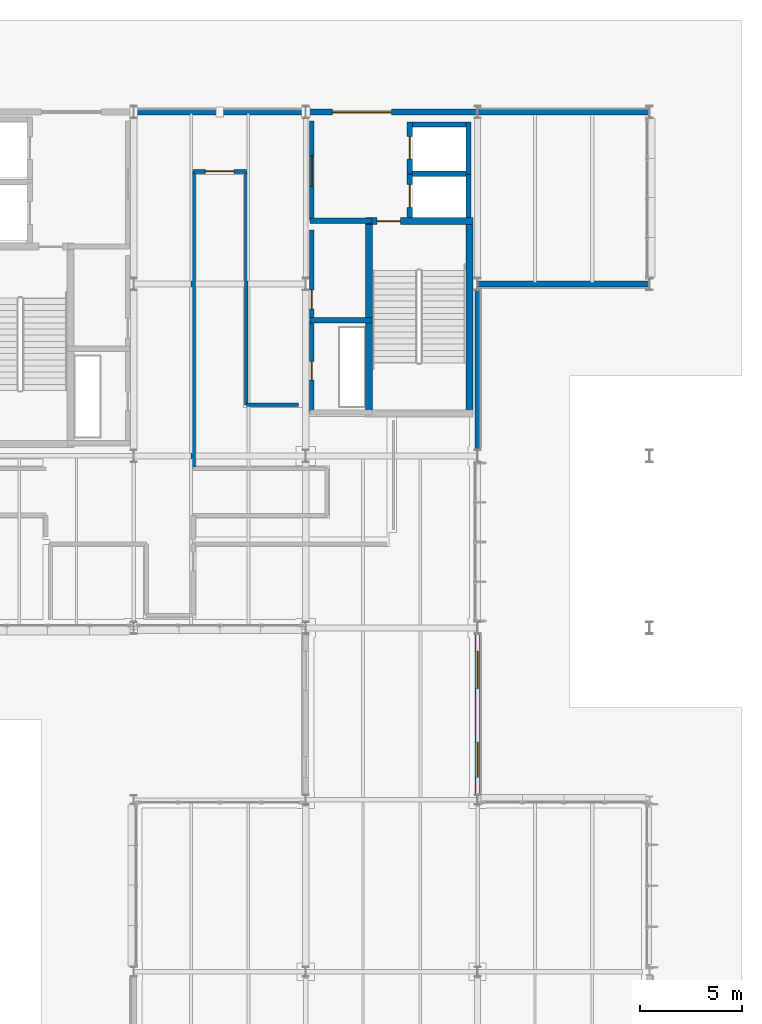
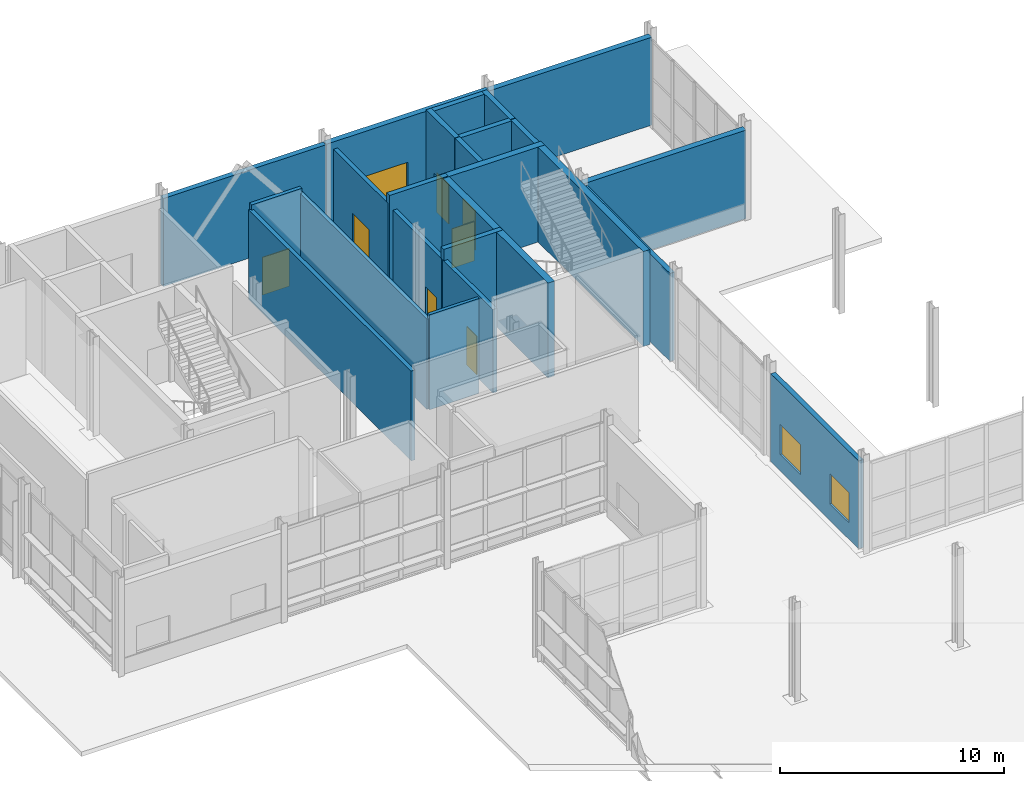
# One storey, part 95 of 124: 24 walls, 8 doors, 2 windows, 10 openings.
"""IFC4 building model written with IfcOpenShell, lengths in metres."""

from ifc_helpers import new_model, si_unit, direction, frame, frame_2d, origin, place, context, subcontext, project, spatial, rectangle, extrude, material, layer, layer_set, type_object, element, fill, save


model = new_model("IFC4")

# Units and contexts
model_context = context("Model", 3, precision=1e-05, world=origin(), true_north=direction((0.0, 1.0)))
body_context = subcontext(model_context, "Body", "Model", "MODEL_VIEW")
ifc_project = project(units=[si_unit("LENGTHUNIT", "METRE"), si_unit("AREAUNIT", "SQUARE_METRE"), si_unit("VOLUMEUNIT", "CUBIC_METRE"), si_unit("PLANEANGLEUNIT", "RADIAN"), si_unit("MASSUNIT", "GRAM", prefix="KILO")], contexts=[model_context])

# Site, building, storey
site_placement = place(None, origin())
site = spatial("IfcSite", under=ifc_project, at=site_placement, CompositionType="ELEMENT")
building_placement = place(site_placement, origin())
building = spatial("IfcBuilding", under=site, at=building_placement, Name="Mersafa Astral City Hall", CompositionType="ELEMENT")
storey_placement = place(building_placement, origin())
storey = spatial("IfcBuildingStorey", under=building, at=storey_placement, Name="L00", CompositionType="ELEMENT", Elevation=0.0)

# Wall
ifc_material_1 = material(Name="Precast concrete C40/50 insulated terracotta spandrel", Category="masonry")
ifc_layer_1 = layer(ifc_material_1, 0.235107421875, Name="Precast concrete C40/50 insulated terracotta spandrel")
ifc_layer_set_1 = layer_set([ifc_layer_1], Name="Precast concrete C40/50 insulated terracotta spandrel — ENV-WAL-EXT-235")
wall_type_1 = type_object("IfcWallType", Name="ENV-WAL-EXT-235", PredefinedType="STANDARD", material=ifc_layer_set_1)
wall_1_placement = place(storey_placement, frame((176.39990234375, 109.49609375, 0.0), z_axis=(0.0, 0.0, 1.0), x_axis=(0.0, 1.0, 0.0)))
element("IfcWall", 1, at=wall_1_placement, inside=storey, type_object=wall_type_1, Name="L00 Limestone-clad exterior wall 35", PredefinedType="STANDARD", context=body_context, shape_type="SweptSolid", body=[
    extrude(rectangle(XDim=7.807861328125, YDim=0.235107421875, at=frame_2d((3.90380859375, 0.0))), origin(), (0.0, 0.0, 1.0), 4.797119140625),
])

# Wall, openings, windows
ifc_layer_2 = layer(ifc_material_1, 0.25, Name="Precast concrete C40/50 insulated terracotta spandrel")
ifc_layer_set_2 = layer_set([ifc_layer_2], Name="Precast concrete C40/50 insulated terracotta spandrel — ENV-WAL-EXT-250")
wall_type_2 = type_object("IfcWallType", Name="ENV-WAL-EXT-250", PredefinedType="STANDARD", material=ifc_layer_set_2)
wall_2_placement = place(storey_placement, frame((176.39990234375, 92.64599609375, 0.0), z_axis=(0.0, 0.0, 1.0), x_axis=(0.0, 1.0, 0.0)))
wall_2 = element("IfcWall", 2, at=wall_2_placement, inside=storey, type_object=wall_type_2, Name="L00 Limestone-clad exterior wall 34", PredefinedType="STANDARD", context=body_context, shape_type="SweptSolid", body=[
    extrude(rectangle(XDim=7.85791015625, YDim=0.25, at=frame_2d((3.928955078125, 0.0))), origin(), (0.0, 0.0, 1.0), 4.797119140625),
])
opening_1_placement = place(wall_2_placement, frame((0.85009765625, 0.0, 0.89990234375)))
opening_1 = element("IfcOpeningElement", 3, at=opening_1_placement, cuts=wall_2, Name="Opening W-38", PredefinedType="OPENING", context=body_context, shape_type="SweptSolid", body=[
    extrude(rectangle(XDim=1.719970703125, YDim=1.64990234375, at=frame_2d((0.85986328125, 0.824951171875))), frame((0.0, 0.135009765625, 0.0), z_axis=(0.0, -1.0, 0.0), x_axis=(1.0, 0.0, 0.0)), (0.0, 0.0, 1.0), 0.27001953125),
])
opening_2_placement = place(wall_2_placement, frame((5.18798828125, 0.0, 0.89990234375)))
opening_2 = element("IfcOpeningElement", 4, at=opening_2_placement, cuts=wall_2, Name="Opening W-39", PredefinedType="OPENING", context=body_context, shape_type="SweptSolid", body=[
    extrude(rectangle(XDim=1.820068359375, YDim=1.64990234375, at=frame_2d((0.91015625, 0.824951171875))), frame((0.0, 0.135009765625, 0.0), z_axis=(0.0, -1.0, 0.0), x_axis=(1.0, 0.0, 0.0)), (0.0, 0.0, 1.0), 0.27001953125),
])
ifc_material_2 = material(Name="Solar control low-e double glazing in bronze frame", Category="glass")
window_type_1 = type_object("IfcWindowType", Name="ENV-WIN-W-38", PartitioningType="SINGLE_PANEL", PredefinedType="WINDOW", material=ifc_material_2)
window_1_placement = place(opening_1_placement, origin())
window_1 = element("IfcWindow", 5, at=window_1_placement, inside=storey, type_object=window_type_1, Name="L00 Solar punched window 34-L", OverallHeight=1.64990234375, OverallWidth=1.719970703125, PartitioningType="SINGLE_PANEL", PredefinedType="WINDOW", context=body_context, shape_type="SweptSolid", body=[
    extrude(rectangle(XDim=1.719970703125, YDim=1.64990234375, at=frame_2d((0.85986328125, 0.824951171875))), frame((0.0, 0.030029296875, 0.0), z_axis=(0.0, -1.0, 0.0), x_axis=(1.0, 0.0, 0.0)), (0.0, 0.0, 1.0), 0.06005859375),
])
fill(opening_1, window_1)
window_type_2 = type_object("IfcWindowType", Name="ENV-WIN-W-39", PartitioningType="SINGLE_PANEL", PredefinedType="WINDOW", material=ifc_material_2)
window_2_placement = place(opening_2_placement, origin())
window_2 = element("IfcWindow", 6, at=window_2_placement, inside=storey, type_object=window_type_2, Name="L00 Solar punched window 34-R", OverallHeight=1.64990234375, OverallWidth=1.820068359375, PartitioningType="SINGLE_PANEL", PredefinedType="WINDOW", context=body_context, shape_type="SweptSolid", body=[
    extrude(rectangle(XDim=1.820068359375, YDim=1.64990234375, at=frame_2d((0.91015625, 0.824951171875))), frame((0.0, 0.030029296875, 0.0), z_axis=(0.0, -1.0, 0.0), x_axis=(1.0, 0.0, 0.0)), (0.0, 0.0, 1.0), 0.06005859375),
])
fill(opening_2, window_2)

# Walls
ifc_material_3 = material(Name="Precast concrete C40/50 insulated limestone wall", Category="masonry")
ifc_layer_3 = layer(ifc_material_3, 0.264892578125, Name="Precast concrete C40/50 insulated limestone wall")
ifc_layer_set_3 = layer_set([ifc_layer_3], Name="Precast concrete C40/50 insulated limestone wall — ENV-WAL-EXT-265")
wall_type_3 = type_object("IfcWallType", Name="ENV-WAL-EXT-265", PredefinedType="STANDARD", material=ifc_layer_set_3)
wall_3_placement = place(storey_placement, frame((167.991943359375, 126.0, 0.0), z_axis=(0.0, 0.0, 1.0), x_axis=(-1.0, 0.0, 0.0)))
element("IfcWall", 7, at=wall_3_placement, inside=storey, type_object=wall_type_3, Name="L00 Limestone-clad exterior wall 39", PredefinedType="STANDARD", context=body_context, shape_type="SweptSolid", body=[
    extrude(rectangle(XDim=8.384033203125, YDim=0.264892578125, at=frame_2d((4.19189453125, 0.0))), origin(), (0.0, 0.0, 1.0), 4.797119140625),
])
ifc_layer_4 = layer(ifc_material_3, 0.294921875, Name="Precast concrete C40/50 insulated limestone wall")
ifc_layer_set_4 = layer_set([ifc_layer_4], Name="Precast concrete C40/50 insulated limestone wall — ENV-WAL-EXT-295")
wall_type_4 = type_object("IfcWallType", Name="ENV-WAL-EXT-295", PredefinedType="STANDARD", material=ifc_layer_set_4)
wall_4_placement = place(storey_placement, frame((184.7919921875, 126.0, 0.0), z_axis=(0.0, 0.0, 1.0), x_axis=(-1.0, 0.0, 0.0)))
element("IfcWall", 8, at=wall_4_placement, inside=storey, type_object=wall_type_4, Name="L00 Limestone-clad exterior wall 37", PredefinedType="STANDARD", context=body_context, shape_type="SweptSolid", body=[
    extrude(rectangle(XDim=8.384033203125, YDim=0.294921875, at=frame_2d((4.19189453125, 0.0))), origin(), (0.0, 0.0, 1.0), 4.797119140625),
])

# Wall, opening, door
wall_5_placement = place(storey_placement, frame((168.008056640625, 126.0, 0.0), z_axis=(0.0, 0.0, 1.0), x_axis=(1.0, 0.0, 0.0)))
wall_5 = element("IfcWall", 9, at=wall_5_placement, inside=storey, type_object=wall_type_4, Name="L00 Protected lobby exit wall E6", PredefinedType="STANDARD", context=body_context, shape_type="SweptSolid", body=[
    extrude(rectangle(XDim=8.384033203125, YDim=0.294921875, at=frame_2d((4.19189453125, 0.0))), origin(), (0.0, 0.0, 1.0), 4.826904296875),
])
opening_3_placement = place(wall_5_placement, frame((1.2919921875, 0.0, 0.0)))
opening_3 = element("IfcOpeningElement", 10, at=opening_3_placement, cuts=wall_5, Name="Opening ED-4", PredefinedType="OPENING", context=body_context, shape_type="SweptSolid", body=[
    extrude(rectangle(XDim=2.89990234375, YDim=2.3798828125, at=frame_2d((1.449951171875, 1.18994140625))), frame((0.0, 0.157470703125, 0.0), z_axis=(0.0, -1.0, 0.0), x_axis=(1.0, 0.0, 0.0)), (0.0, 0.0, 1.0), 0.31494140625),
])
ifc_material_4 = material(Name="Fire-rated steel exit door pair", Category="steel")
door_type_1 = type_object("IfcDoorType", Name="ENV-DR-EXIT-FD90-2650", OperationType="NOTDEFINED", PredefinedType="DOOR", material=ifc_material_4)
door_1_placement = place(opening_3_placement, origin())
door_1 = element("IfcDoor", 11, at=door_1_placement, inside=storey, type_object=door_type_1, Name="Ground Final Exit Door E6", OperationType="DOUBLE_DOOR_SINGLE_SWING", OverallHeight=2.3798828125, OverallWidth=2.89990234375, PredefinedType="DOOR", context=body_context, shape_type="SweptSolid", body=[
    extrude(rectangle(XDim=2.89990234375, YDim=2.3798828125, at=frame_2d((1.449951171875, 1.18994140625))), frame((0.0, 0.02490234375, 0.0), z_axis=(0.0, -1.0, 0.0), x_axis=(1.0, 0.0, 0.0)), (0.0, 0.0, 1.0), 0.050048828125),
])
fill(opening_3, door_1)

# Walls
ifc_layer_5 = layer(ifc_material_3, 0.31005859375, Name="Precast concrete C40/50 insulated limestone wall")
ifc_layer_set_5 = layer_set([ifc_layer_5], Name="Precast concrete C40/50 insulated limestone wall — ENV-WAL-EXT-310")
wall_type_5 = type_object("IfcWallType", Name="ENV-WAL-EXT-310", PredefinedType="STANDARD", material=ifc_layer_set_5)
wall_6_placement = place(storey_placement, frame((176.407958984375, 117.60009765625, 0.0), z_axis=(0.0, 0.0, 1.0), x_axis=(1.0, 0.0, 0.0)))
element("IfcWall", 12, at=wall_6_placement, inside=storey, type_object=wall_type_5, Name="L00 Limestone-clad exterior wall 36", PredefinedType="STANDARD", context=body_context, shape_type="SweptSolid", body=[
    extrude(rectangle(XDim=8.384033203125, YDim=0.31005859375, at=frame_2d((4.19189453125, 0.0))), origin(), (0.0, 0.0, 1.0), 4.826904296875),
])
ifc_material_5 = material(Name="Concrete C40/50", Category="concrete")
ifc_layer_6 = layer(ifc_material_5, 0.260009765625, Name="Concrete C40/50")
ifc_layer_set_6 = layer_set([ifc_layer_6], Name="Concrete C40/50 — INT-WAL-CORE-260")
wall_type_6 = type_object("IfcWallType", Name="INT-WAL-CORE-260", PredefinedType="SHEAR", material=ifc_layer_set_6)
wall_7_placement = place(storey_placement, frame((172.955078125, 122.9951171875, 0.0), z_axis=(0.0, 0.0, 1.0), x_axis=(1.0, 0.0, 0.0)))
element("IfcWall", 13, at=wall_7_placement, inside=storey, type_object=wall_type_6, Name="L00 Lift LF2 north shaft wall", PredefinedType="SHEAR", context=body_context, shape_type="SweptSolid", body=[
    extrude(rectangle(XDim=3.1298828125, YDim=0.260009765625, at=frame_2d((1.56494140625, 0.0))), origin(), (0.0, 0.0, 1.0), 5.175048828125),
])
wall_8_placement = place(storey_placement, frame((175.955078125, 120.846923828125, 0.0), z_axis=(0.0, 0.0, 1.0), x_axis=(0.0, 1.0, 0.0)))
element("IfcWall", 14, at=wall_8_placement, inside=storey, type_object=wall_type_6, Name="L00 Lift LF2 back shaft wall", PredefinedType="SHEAR", context=body_context, shape_type="SweptSolid", body=[
    extrude(rectangle(XDim=2.108154296875, YDim=0.260009765625, at=frame_2d((1.05419921875, 0.0))), origin(), (0.0, 0.0, 1.0), 5.175048828125),
])

# Wall, opening, door
wall_9_placement = place(storey_placement, frame((173.0849609375, 120.846923828125, 0.0), z_axis=(0.0, 0.0, 1.0), x_axis=(0.0, 1.0, 0.0)))
wall_9 = element("IfcWall", 15, at=wall_9_placement, inside=storey, type_object=wall_type_6, Name="L00 Lift LF2 front shaft wall", PredefinedType="SHEAR", context=body_context, shape_type="SweptSolid", body=[
    extrude(rectangle(XDim=2.108154296875, YDim=0.260009765625, at=frame_2d((1.05419921875, 0.0))), origin(), (0.0, 0.0, 1.0), 5.175048828125),
])
opening_4_placement = place(wall_9_placement, frame((0.50390625, 0.0, 0.0)))
opening_4 = element("IfcOpeningElement", 16, at=opening_4_placement, cuts=wall_9, Name="Opening LD-1", PredefinedType="OPENING", context=body_context, shape_type="SweptSolid", body=[
    extrude(rectangle(XDim=1.10009765625, YDim=2.14990234375, at=frame_2d((0.550048828125, 1.074951171875))), frame((0.0, 0.139892578125, 0.0), z_axis=(0.0, -1.0, 0.0), x_axis=(1.0, 0.0, 0.0)), (0.0, 0.0, 1.0), 0.280029296875),
])
ifc_material_6 = material(Name="Stainless steel sliding lift landing door", Category="steel")
door_type_2 = type_object("IfcDoorType", Name="INT-DR-LIFT-LD1", OperationType="NOTDEFINED", PredefinedType="DOOR", material=ifc_material_6)
door_2_placement = place(opening_4_placement, origin())
door_2 = element("IfcDoor", 17, at=door_2_placement, inside=storey, type_object=door_type_2, Name="Elevator LF2 Sliding Landing Door L00", OperationType="DOUBLE_DOOR_SLIDING", OverallHeight=2.14990234375, OverallWidth=1.10009765625, PredefinedType="DOOR", context=body_context, shape_type="SweptSolid", body=[
    extrude(rectangle(XDim=1.10009765625, YDim=2.14990234375, at=frame_2d((0.550048828125, 1.074951171875))), frame((0.0, 0.02490234375, 0.0), z_axis=(0.0, -1.0, 0.0), x_axis=(1.0, 0.0, 0.0)), (0.0, 0.0, 1.0), 0.050048828125),
])
fill(opening_4, door_2)

# Walls
wall_10_placement = place(storey_placement, frame((172.955078125, 125.39501953125, 0.0), z_axis=(0.0, 0.0, 1.0), x_axis=(1.0, 0.0, 0.0)))
element("IfcWall", 18, at=wall_10_placement, inside=storey, type_object=wall_type_6, Name="L00 Lift LF4 north shaft wall", PredefinedType="SHEAR", context=body_context, shape_type="SweptSolid", body=[
    extrude(rectangle(XDim=3.1298828125, YDim=0.260009765625, at=frame_2d((1.56494140625, 0.0))), origin(), (0.0, 0.0, 1.0), 5.175048828125),
])
wall_11_placement = place(storey_placement, frame((175.955078125, 122.985107421875, 0.0), z_axis=(0.0, 0.0, 1.0), x_axis=(0.0, 1.0, 0.0)))
element("IfcWall", 19, at=wall_11_placement, inside=storey, type_object=wall_type_6, Name="L00 Lift LF4 back shaft wall", PredefinedType="SHEAR", context=body_context, shape_type="SweptSolid", body=[
    extrude(rectangle(XDim=2.539794921875, YDim=0.260009765625, at=frame_2d((1.27001953125, 0.0))), origin(), (0.0, 0.0, 1.0), 5.175048828125),
])

# Wall, opening, door
wall_12_placement = place(storey_placement, frame((173.0849609375, 122.985107421875, 0.0), z_axis=(0.0, 0.0, 1.0), x_axis=(0.0, 1.0, 0.0)))
wall_12 = element("IfcWall", 20, at=wall_12_placement, inside=storey, type_object=wall_type_6, Name="L00 Lift LF4 front shaft wall", PredefinedType="SHEAR", context=body_context, shape_type="SweptSolid", body=[
    extrude(rectangle(XDim=2.539794921875, YDim=0.260009765625, at=frame_2d((1.27001953125, 0.0))), origin(), (0.0, 0.0, 1.0), 5.175048828125),
])
opening_5_placement = place(wall_12_placement, frame((0.719970703125, 0.0, 0.0)))
opening_5 = element("IfcOpeningElement", 21, at=opening_5_placement, cuts=wall_12, Name="Opening LD-1", PredefinedType="OPENING", context=body_context, shape_type="SweptSolid", body=[
    extrude(rectangle(XDim=1.10009765625, YDim=2.14990234375, at=frame_2d((0.550048828125, 1.074951171875))), frame((0.0, 0.139892578125, 0.0), z_axis=(0.0, -1.0, 0.0), x_axis=(1.0, 0.0, 0.0)), (0.0, 0.0, 1.0), 0.280029296875),
])
door_3_placement = place(opening_5_placement, origin())
door_3 = element("IfcDoor", 22, at=door_3_placement, inside=storey, type_object=door_type_2, Name="Elevator LF4 Sliding Landing Door L00", OperationType="DOUBLE_DOOR_SLIDING", OverallHeight=2.14990234375, OverallWidth=1.10009765625, PredefinedType="DOOR", context=body_context, shape_type="SweptSolid", body=[
    extrude(rectangle(XDim=1.10009765625, YDim=2.14990234375, at=frame_2d((0.550048828125, 1.074951171875))), frame((0.0, 0.02490234375, 0.0), z_axis=(0.0, -1.0, 0.0), x_axis=(1.0, 0.0, 0.0)), (0.0, 0.0, 1.0), 0.050048828125),
])
fill(opening_5, door_3)

# Walls
for number, where, z_axis, x_axis, name in (
    (23, (168.199951171875, 115.8349609375, 0.0), (0.0, 0.0, 1.0), (1.0, 0.0, 0.0), "L00 Core K2 riser-restroom divider wall"),
    (24, (168.199951171875, 120.68994140625, 0.0), (0.0, 0.0, 1.0), (1.0, 0.0, 0.0), "L00 Core K2 restroom-lobby divider wall"),
):
    element("IfcWall", number, at=place(storey_placement, frame(where, z_axis=z_axis, x_axis=x_axis)), inside=storey, type_object=wall_type_6, Name=name, PredefinedType="SHEAR", context=body_context, shape_type="SweptSolid", body=[
        extrude(rectangle(XDim=3.03515625, YDim=0.260009765625, at=frame_2d((1.517578125, 0.0))), origin(), (0.0, 0.0, 1.0), 5.175048828125),
    ])
ifc_layer_7 = layer(ifc_material_5, 0.340087890625, Name="Concrete C40/50")
ifc_layer_set_7 = layer_set([ifc_layer_7], Name="Concrete C40/50 — INT-WAL-CORE-340")
wall_type_7 = type_object("IfcWallType", Name="INT-WAL-CORE-340", PredefinedType="SHEAR", material=ifc_layer_set_7)
for number, where, z_axis, x_axis, name in (
    (25, (171.0849609375, 111.10498046875, 0.0), (0.0, 0.0, 1.0), (0.0, 1.0, 0.0), "L00 Core K2 stair west shear wall"),
    (26, (175.9951171875, 111.10498046875, 0.0), (0.0, 0.0, 1.0), (0.0, 1.0, 0.0), "L00 Core K2 stair east shear wall"),
):
    element("IfcWall", number, at=place(storey_placement, frame(where, z_axis=z_axis, x_axis=x_axis)), inside=storey, type_object=wall_type_7, Name=name, PredefinedType="SHEAR", context=body_context, shape_type="SweptSolid", body=[
        extrude(rectangle(XDim=9.739990234375, YDim=0.340087890625, at=frame_2d((4.8701171875, 0.0))), origin(), (0.0, 0.0, 1.0), 5.175048828125),
    ])

# Wall, opening, door
wall_13_placement = place(storey_placement, frame((170.9150390625, 120.675048828125, 0.0), z_axis=(0.0, 0.0, 1.0), x_axis=(1.0, 0.0, 0.0)))
wall_13 = element("IfcWall", 27, at=wall_13_placement, inside=storey, type_object=wall_type_7, Name="L00 Core K2 stair-lobby fire wall", PredefinedType="SHEAR", context=body_context, shape_type="SweptSolid", body=[
    extrude(rectangle(XDim=5.25, YDim=0.340087890625, at=frame_2d((2.625, 0.0))), origin(), (0.0, 0.0, 1.0), 5.175048828125),
])
opening_6_placement = place(wall_13_placement, frame((0.56494140625, 0.0, 0.0)))
opening_6 = element("IfcOpeningElement", 28, at=opening_6_placement, cuts=wall_13, Name="Opening CD-1", PredefinedType="OPENING", context=body_context, shape_type="SweptSolid", body=[
    extrude(rectangle(XDim=1.14990234375, YDim=2.14990234375, at=frame_2d((0.574951171875, 1.074951171875))), frame((0.0, 0.179931640625, 0.0), z_axis=(0.0, -1.0, 0.0), x_axis=(1.0, 0.0, 0.0)), (0.0, 0.0, 1.0), 0.360107421875),
])
ifc_material_7 = material(Name="Fire-rated steel stair door", Category="steel")
door_type_3 = type_object("IfcDoorType", Name="INT-DR-STAIR-FD90-1150", OperationType="NOTDEFINED", PredefinedType="DOOR", material=ifc_material_7)
door_4_placement = place(opening_6_placement, origin())
door_4 = element("IfcDoor", 29, at=door_4_placement, inside=storey, type_object=door_type_3, Name="L00 Protected Stair ST2 Door", OperationType="SINGLE_SWING_LEFT", OverallHeight=2.14990234375, OverallWidth=1.14990234375, PredefinedType="DOOR", context=body_context, shape_type="SweptSolid", body=[
    extrude(rectangle(XDim=1.14990234375, YDim=2.14990234375, at=frame_2d((0.574951171875, 1.074951171875))), frame((0.0, 0.02490234375, 0.0), z_axis=(0.0, -1.0, 0.0), x_axis=(1.0, 0.0, 0.0)), (0.0, 0.0, 1.0), 0.050048828125),
])
fill(opening_6, door_4)

# Walls
ifc_material_8 = material(Name="Fire-rated gypsum stud partition", Category="gypsum")
ifc_layer_8 = layer(ifc_material_8, 0.1650390625, Name="Fire-rated gypsum stud partition")
ifc_layer_set_8 = layer_set([ifc_layer_8], Name="Fire-rated gypsum stud partition — INT-WAL-PART-EI60-165")
wall_type_8 = type_object("IfcWallType", Name="INT-WAL-PART-EI60-165", PredefinedType="STANDARD", material=ifc_layer_set_8)
wall_14_placement = place(storey_placement, frame((165.10009765625, 111.699951171875, -0.00390625), z_axis=(0.0, 0.0, 1.0), x_axis=(1.0, 0.0, 0.0)))
element("IfcWall", 30, at=wall_14_placement, inside=storey, type_object=wall_type_8, Name="L00 Interior partition wall 195", PredefinedType="STANDARD", context=body_context, shape_type="SweptSolid", body=[
    extrude(rectangle(XDim=2.559814453125, YDim=0.1650390625, at=frame_2d((1.27978515625, 0.0))), origin(), (0.0, 0.0, 1.0), 5.178955078125),
])
ifc_material_9 = material(Name="Acoustic twin-stud gypsum partition", Category="gypsum")
ifc_layer_9 = layer(ifc_material_9, 0.179931640625, Name="Acoustic twin-stud gypsum partition")
ifc_layer_set_9 = layer_set([ifc_layer_9], Name="Acoustic twin-stud gypsum partition — INT-WAL-PART-EI60-180")
wall_type_9 = type_object("IfcWallType", Name="INT-WAL-PART-EI60-180", PredefinedType="STANDARD", material=ifc_layer_set_9)
wall_15_placement = place(storey_placement, frame((165.10009765625, 123.10009765625, -0.00390625), z_axis=(0.0, 0.0, 1.0), x_axis=(0.0, -1.0, 0.0)))
element("IfcWall", 31, at=wall_15_placement, inside=storey, type_object=wall_type_9, Name="L00 Interior partition wall 194", PredefinedType="STANDARD", context=body_context, shape_type="SweptSolid", body=[
    extrude(rectangle(XDim=11.400146484375, YDim=0.179931640625, at=frame_2d((5.7001953125, 0.0))), origin(), (0.0, 0.0, 1.0), 4.9208984375),
])

# Wall, opening, door
ifc_layer_10 = layer(ifc_material_9, 0.195068359375, Name="Acoustic twin-stud gypsum partition")
ifc_layer_set_10 = layer_set([ifc_layer_10], Name="Acoustic twin-stud gypsum partition — INT-WAL-PART-EI60-195")
wall_type_10 = type_object("IfcWallType", Name="INT-WAL-PART-EI60-195", PredefinedType="STANDARD", material=ifc_layer_set_10)
wall_16_placement = place(storey_placement, frame((162.5, 123.10009765625, -0.00390625), z_axis=(0.0, 0.0, 1.0), x_axis=(1.0, 0.0, 0.0)))
wall_16 = element("IfcWall", 32, at=wall_16_placement, inside=storey, type_object=wall_type_10, Name="L00 Interior partition wall 193", PredefinedType="STANDARD", context=body_context, shape_type="SweptSolid", body=[
    extrude(rectangle(XDim=2.60009765625, YDim=0.195068359375, at=frame_2d((1.300048828125, 0.0))), origin(), (0.0, 0.0, 1.0), 5.178955078125),
])
opening_7_placement = place(wall_16_placement, frame((0.60009765625, 0.0, 0.0)))
opening_7 = element("IfcOpeningElement", 33, at=opening_7_placement, cuts=wall_16, Name="Opening D-07", PredefinedType="OPENING", context=body_context, shape_type="SweptSolid", body=[
    extrude(rectangle(XDim=1.39990234375, YDim=2.06005859375, at=frame_2d((0.699951171875, 1.030029296875))), frame((0.0, 0.107421875, 0.0), z_axis=(0.0, -1.0, 0.0), x_axis=(1.0, 0.0, 0.0)), (0.0, 0.0, 1.0), 0.215087890625),
])
ifc_material_10 = material(Name="Cedar veneered acoustic fire-rated timber door", Category="wood")
door_type_4 = type_object("IfcDoorType", Name="INT-DR-RM-D-07", OperationType="NOTDEFINED", PredefinedType="DOOR", material=ifc_material_10)
door_5_placement = place(opening_7_placement, origin())
door_5 = element("IfcDoor", 34, at=door_5_placement, inside=storey, type_object=door_type_4, Name="L00 Civil Registry Reception Hall L00-17 Entrance Door", OperationType="SINGLE_SWING_LEFT", OverallHeight=2.06005859375, OverallWidth=1.39990234375, PredefinedType="DOOR", context=body_context, shape_type="SweptSolid", body=[
    extrude(rectangle(XDim=1.39990234375, YDim=2.06005859375, at=frame_2d((0.699951171875, 1.030029296875))), frame((0.0, 0.02490234375, 0.0), z_axis=(0.0, -1.0, 0.0), x_axis=(1.0, 0.0, 0.0)), (0.0, 0.0, 1.0), 0.050048828125),
])
fill(opening_7, door_5)

ifc_material_11 = material(Name="Autoclaved aerated concrete blockwork plastered", Category="masonry")
ifc_layer_11 = layer(ifc_material_11, 0.2099609375, Name="Autoclaved aerated concrete blockwork plastered")
ifc_layer_set_11 = layer_set([ifc_layer_11], Name="Autoclaved aerated concrete blockwork plastered — INT-WAL-PART-EI60-210")
wall_type_11 = type_object("IfcWallType", Name="INT-WAL-PART-EI60-210", PredefinedType="STANDARD", material=ifc_layer_set_11)
wall_17_placement = place(storey_placement, frame((168.300048828125, 111.320068359375, 0.0), z_axis=(0.0, 0.0, 1.0), x_axis=(0.0, 1.0, 0.0)))
wall_17 = element("IfcWall", 35, at=wall_17_placement, inside=storey, type_object=wall_type_11, Name="L00 Core K2 riser corridor partition", PredefinedType="STANDARD", context=body_context, shape_type="SweptSolid", body=[
    extrude(rectangle(XDim=4.489990234375, YDim=0.2099609375, at=frame_2d((2.2451171875, 0.0))), origin(), (0.0, 0.0, 1.0), 4.556884765625),
])
opening_8_placement = place(wall_17_placement, frame((1.60009765625, 0.0, 0.0)))
opening_8 = element("IfcOpeningElement", 36, at=opening_8_placement, cuts=wall_17, Name="Opening CD-5", PredefinedType="OPENING", context=body_context, shape_type="SweptSolid", body=[
    extrude(rectangle(XDim=0.89990234375, YDim=2.10009765625, at=frame_2d((0.449951171875, 1.050048828125))), frame((0.0, 0.114990234375, 0.0), z_axis=(0.0, -1.0, 0.0), x_axis=(1.0, 0.0, 0.0)), (0.0, 0.0, 1.0), 0.22998046875),
])
ifc_material_12 = material(Name="Fire-rated steel riser access door", Category="steel")
door_type_5 = type_object("IfcDoorType", Name="INT-DR-RISER-FD60-900", OperationType="NOTDEFINED", PredefinedType="DOOR", material=ifc_material_12)
door_6_placement = place(opening_8_placement, origin())
door_6 = element("IfcDoor", 37, at=door_6_placement, inside=storey, type_object=door_type_5, Name="L00 K2 MEP Riser Access Door", OperationType="SINGLE_SWING_LEFT", OverallHeight=2.10009765625, OverallWidth=0.89990234375, PredefinedType="DOOR", context=body_context, shape_type="SweptSolid", body=[
    extrude(rectangle(XDim=0.89990234375, YDim=2.10009765625, at=frame_2d((0.449951171875, 1.050048828125))), frame((0.0, 0.02490234375, 0.0), z_axis=(0.0, -1.0, 0.0), x_axis=(1.0, 0.0, 0.0)), (0.0, 0.0, 1.0), 0.050048828125),
])
fill(opening_8, door_6)

wall_18_placement = place(storey_placement, frame((168.300048828125, 115.919921875, 0.0), z_axis=(0.0, 0.0, 1.0), x_axis=(0.0, 1.0, 0.0)))
wall_18 = element("IfcWall", 38, at=wall_18_placement, inside=storey, type_object=wall_type_11, Name="L00 Core K2 accessible WC corridor partition", PredefinedType="STANDARD", context=body_context, shape_type="SweptSolid", body=[
    extrude(rectangle(XDim=4.330078125, YDim=0.2099609375, at=frame_2d((2.1650390625, 0.0))), origin(), (0.0, 0.0, 1.0), 4.556884765625),
])
opening_9_placement = place(wall_18_placement, frame((0.449951171875, 0.0, 0.0)))
opening_9 = element("IfcOpeningElement", 39, at=opening_9_placement, cuts=wall_18, Name="Opening CD-4", PredefinedType="OPENING", context=body_context, shape_type="SweptSolid", body=[
    extrude(rectangle(XDim=0.949951171875, YDim=2.14990234375, at=frame_2d((0.47509765625, 1.074951171875))), frame((0.0, 0.114990234375, 0.0), z_axis=(0.0, -1.0, 0.0), x_axis=(1.0, 0.0, 0.0)), (0.0, 0.0, 1.0), 0.22998046875),
])
ifc_material_13 = material(Name="Accessible timber acoustic WC door", Category="wood")
door_type_6 = type_object("IfcDoorType", Name="INT-DR-WC-FD30-950", OperationType="NOTDEFINED", PredefinedType="DOOR", material=ifc_material_13)
door_7_placement = place(opening_9_placement, origin())
door_7 = element("IfcDoor", 40, at=door_7_placement, inside=storey, type_object=door_type_6, Name="L00 K2 Accessible Restroom Door", OperationType="SINGLE_SWING_RIGHT", OverallHeight=2.14990234375, OverallWidth=0.949951171875, PredefinedType="DOOR", context=body_context, shape_type="SweptSolid", body=[
    extrude(rectangle(XDim=0.949951171875, YDim=2.14990234375, at=frame_2d((0.47509765625, 1.074951171875))), frame((0.0, 0.02490234375, 0.0), z_axis=(0.0, -1.0, 0.0), x_axis=(1.0, 0.0, 0.0)), (0.0, 0.0, 1.0), 0.050048828125),
])
fill(opening_9, door_7)

wall_19_placement = place(storey_placement, frame((168.300048828125, 120.699951171875, 0.0), z_axis=(0.0, 0.0, 1.0), x_axis=(0.0, 1.0, 0.0)))
wall_19 = element("IfcWall", 41, at=wall_19_placement, inside=storey, type_object=wall_type_11, Name="L00 Core K2 lobby corridor partition", PredefinedType="STANDARD", context=body_context, shape_type="SweptSolid", body=[
    extrude(rectangle(XDim=4.860107421875, YDim=0.2099609375, at=frame_2d((2.43017578125, 0.0))), origin(), (0.0, 0.0, 1.0), 4.6669921875),
])
opening_10_placement = place(wall_19_placement, frame((1.679931640625, 0.0, 0.0)))
opening_10 = element("IfcOpeningElement", 42, at=opening_10_placement, cuts=wall_19, Name="Opening CD-3", PredefinedType="OPENING", context=body_context, shape_type="SweptSolid", body=[
    extrude(rectangle(XDim=1.5, YDim=2.199951171875, at=frame_2d((0.75, 1.10009765625))), frame((0.0, 0.114990234375, 0.0), z_axis=(0.0, -1.0, 0.0), x_axis=(1.0, 0.0, 0.0)), (0.0, 0.0, 1.0), 0.22998046875),
])
ifc_material_14 = material(Name="Fire-rated glazed lobby door pair", Category="metal")
door_type_7 = type_object("IfcDoorType", Name="INT-DR-LOBBY-FD90-1500", OperationType="NOTDEFINED", PredefinedType="DOOR", material=ifc_material_14)
door_8_placement = place(opening_10_placement, origin())
door_8 = element("IfcDoor", 43, at=door_8_placement, inside=storey, type_object=door_type_7, Name="L00 K2 Lift Lobby Fire Door", OperationType="DOUBLE_DOOR_SINGLE_SWING", OverallHeight=2.199951171875, OverallWidth=1.5, PredefinedType="DOOR", context=body_context, shape_type="SweptSolid", body=[
    extrude(rectangle(XDim=1.5, YDim=2.199951171875, at=frame_2d((0.75, 1.10009765625))), frame((0.0, 0.02490234375, 0.0), z_axis=(0.0, -1.0, 0.0), x_axis=(1.0, 0.0, 0.0)), (0.0, 0.0, 1.0), 0.050048828125),
])
fill(opening_10, door_8)

# Wall
wall_20_placement = place(storey_placement, frame((162.5, 108.580078125, -0.00390625), z_axis=(0.0, 0.0, 1.0), x_axis=(0.0, 1.0, 0.0)))
element("IfcWall", 44, at=wall_20_placement, inside=storey, type_object=wall_type_11, Name="L00 Interior partition wall 192", PredefinedType="STANDARD", context=body_context, shape_type="SweptSolid", body=[
    extrude(rectangle(XDim=14.52001953125, YDim=0.2099609375, at=frame_2d((7.260009765625, 0.0))), origin(), (0.0, 0.0, 1.0), 4.890869140625),
])

save(model, "model.ifc")
